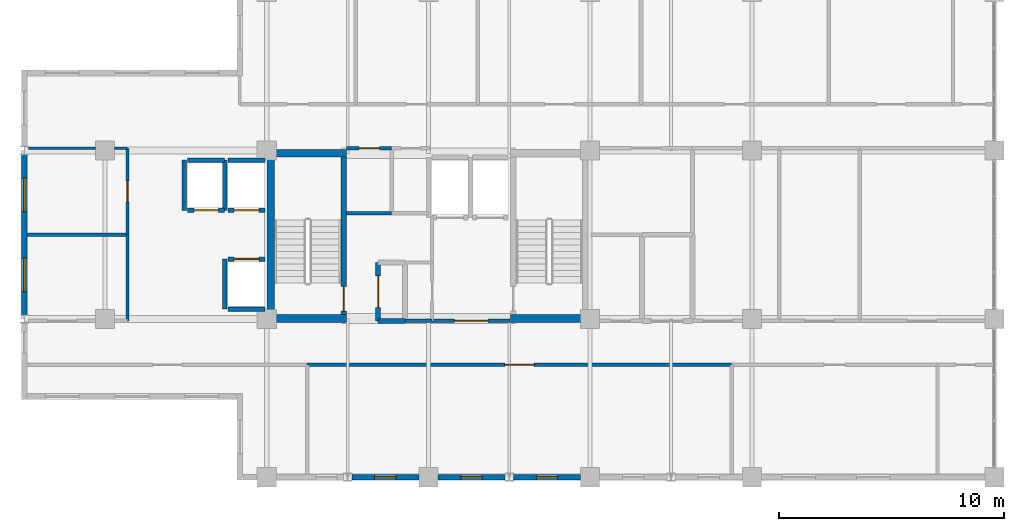
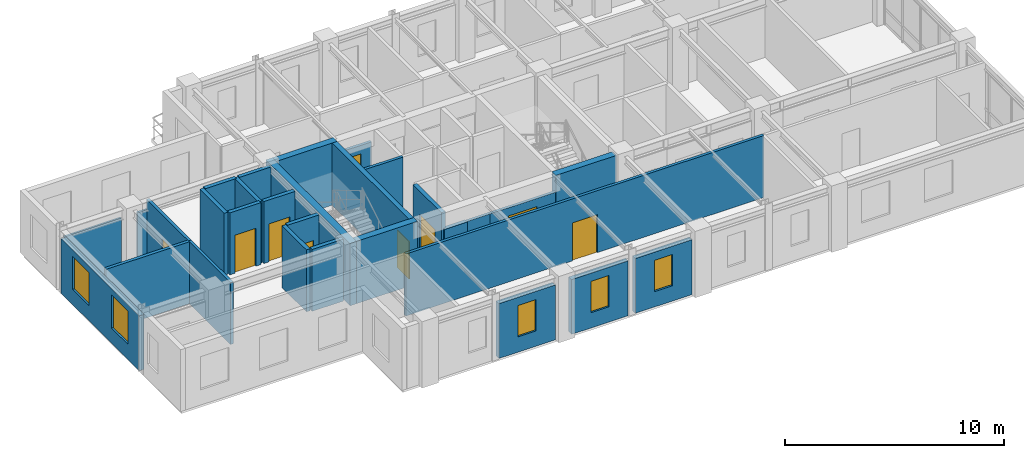
# One storey, part 6 of 10: 30 walls, 9 doors, 5 windows, 14 openings.
"""IFC4 building model written with IfcOpenShell, lengths in metres."""

from ifc_helpers import new_model, si_unit, direction, frame, frame_2d, origin, place, context, subcontext, project, spatial, rectangle, extrude, material, layer, layer_set, type_object, element, fill, save


model = new_model("IFC4")

# Units and contexts
model_context = context("Model", 3, precision=1e-05, world=origin(), true_north=direction((0.0, 1.0)))
body_context = subcontext(model_context, "Body", "Model", "MODEL_VIEW")
ifc_project = project(units=[si_unit("LENGTHUNIT", "METRE"), si_unit("AREAUNIT", "SQUARE_METRE"), si_unit("VOLUMEUNIT", "CUBIC_METRE"), si_unit("PLANEANGLEUNIT", "RADIAN"), si_unit("MASSUNIT", "GRAM", prefix="KILO")], contexts=[model_context])

# Site, building, storey
site_placement = place(None, origin())
site = spatial("IfcSite", under=ifc_project, at=site_placement, CompositionType="ELEMENT")
building_placement = place(site_placement, origin())
building = spatial("IfcBuilding", under=site, at=building_placement, Name="Kaliganga Portal Commons", CompositionType="ELEMENT")
storey_placement = place(building_placement, frame((0.0, 0.0, 275.800048828125)))
storey = spatial("IfcBuildingStorey", under=building, at=storey_placement, Name="L71", CompositionType="ELEMENT", Elevation=275.800048828125)

# Walls
ifc_material_1 = material(Name="Concrete C50/60", Category="concrete")
ifc_layer_1 = layer(ifc_material_1, 0.35009765625)
ifc_layer_set_1 = layer_set([ifc_layer_1], Name="Concrete C50/60")
wall_type_1 = type_object("IfcWallType", Name="WL-CORE-350", PredefinedType="SHEAR", material=ifc_layer_set_1)
wall_1_placement = place(storey_placement, frame((14.574951171875, 28.5, 0.0), z_axis=(0.0, 0.0, 1.0), x_axis=(0.0, 1.0, 0.0)))
element("IfcWall", 1, at=wall_1_placement, inside=storey, type_object=wall_type_1, Name="Core A West Shear Wall L71", PredefinedType="SHEAR", context=body_context, shape_type="SweptSolid", body=[
    extrude(rectangle(XDim=7.699951171875, YDim=0.35009765625, at=frame_2d((3.85009765625, 0.0))), origin(), (0.0, 0.0, 1.0), 3.474853515625),
])
for number, where, z_axis, x_axis, name in (
    (2, (14.75, 28.675048828125, 0.0), (0.0, 0.0, 1.0), (1.0, 0.0, 0.0), "Core A S-West Shear Wall L71"),
    (3, (25.25, 28.675048828125, 0.0), (0.0, 0.0, 1.0), (1.0, 0.0, 0.0), "Core A S-East Shear Wall L71"),
    (4, (14.75, 36.02490234375, 0.0), (0.0, 0.0, 1.0), (1.0, 0.0, 0.0), "Core A N-West Shear Wall L71"),
):
    element("IfcWall", number, at=place(storey_placement, frame(where, z_axis=z_axis, x_axis=x_axis)), inside=storey, type_object=wall_type_1, Name=name, PredefinedType="SHEAR", context=body_context, shape_type="SweptSolid", body=[
        extrude(rectangle(XDim=3.199951171875, YDim=0.35009765625, at=frame_2d((1.60009765625, 0.0))), origin(), (0.0, 0.0, 1.0), 3.474853515625),
    ])

# Wall, opening, window
ifc_material_2 = material(Name="Insulated Aluminium-Clad Spandrel Assembly", Category="aluminium")
ifc_layer_2 = layer(ifc_material_2, 0.260009765625)
ifc_layer_set_2 = layer_set([ifc_layer_2], Name="Insulated Aluminium-Clad Spandrel Assembly")
wall_type_2 = type_object("IfcWallType", Name="WL-EXT-SPAND-260", PredefinedType="STANDARD", material=ifc_layer_set_2)
wall_2_placement = place(storey_placement, frame((21.174072265625, 21.60009765625, 0.0), z_axis=(0.0, 0.0, 1.0), x_axis=(-1.0, 0.0, 0.0)))
wall_2 = element("IfcWall", 5, at=wall_2_placement, inside=storey, type_object=wall_type_2, Name="Exterior Envelope Wall L71 P1-E00-S3", PredefinedType="STANDARD", context=body_context, shape_type="SweptSolid", body=[
    extrude(rectangle(XDim=2.986083984375, YDim=0.260009765625, at=frame_2d((1.4931640625, 0.0))), origin(), (0.0, 0.0, 1.0), 3.054931640625),
])
opening_1_placement = place(wall_2_placement, frame((1.01806640625, 0.0, 0.85009765625)))
opening_1 = element("IfcOpeningElement", 6, at=opening_1_placement, cuts=wall_2, Name="Opening W-04", PredefinedType="OPENING", context=body_context, shape_type="SweptSolid", body=[
    extrude(rectangle(XDim=0.949951171875, YDim=1.75, at=frame_2d((0.47509765625, 0.875))), frame((0.0, 0.14013671875, 0.0), z_axis=(0.0, -1.0, 0.0), x_axis=(1.0, 0.0, 0.0)), (0.0, 0.0, 1.0), 0.280029296875),
])
ifc_material_3 = material(Name="Thermally Broken Aluminium and Low-E Double Glazing", Category="aluminium")
window_type_1 = type_object("IfcWindowType", Name="WIN-NARROW-950", PartitioningType="SINGLE_PANEL", PredefinedType="WINDOW", material=ifc_material_3)
window_1_placement = place(opening_1_placement, origin())
window_1 = element("IfcWindow", 7, at=window_1_placement, inside=storey, type_object=window_type_1, Name="Facade Window L71-P1E00S3-00", OverallHeight=1.75, OverallWidth=0.949951171875, PartitioningType="SINGLE_PANEL", PredefinedType="WINDOW", context=body_context, shape_type="SweptSolid", body=[
    extrude(rectangle(XDim=0.949951171875, YDim=1.75, at=frame_2d((0.47509765625, 0.875))), frame((0.0, 0.030029296875, 0.0), z_axis=(0.0, -1.0, 0.0), x_axis=(1.0, 0.0, 0.0)), (0.0, 0.0, 1.0), 0.06005859375),
])
fill(opening_1, window_1)

wall_3_placement = place(storey_placement, frame((25.011962890625, 21.60009765625, 0.0), z_axis=(0.0, 0.0, 1.0), x_axis=(-1.0, 0.0, 0.0)))
wall_3 = element("IfcWall", 8, at=wall_3_placement, inside=storey, type_object=wall_type_2, Name="Exterior Envelope Wall L71 P1-E00-S4", PredefinedType="STANDARD", context=body_context, shape_type="SweptSolid", body=[
    extrude(rectangle(XDim=2.986083984375, YDim=0.260009765625, at=frame_2d((1.4931640625, 0.0))), origin(), (0.0, 0.0, 1.0), 3.054931640625),
])
opening_2_placement = place(wall_3_placement, frame((1.01806640625, 0.0, 0.85009765625)))
opening_2 = element("IfcOpeningElement", 9, at=opening_2_placement, cuts=wall_3, Name="Opening W-04", PredefinedType="OPENING", context=body_context, shape_type="SweptSolid", body=[
    extrude(rectangle(XDim=0.949951171875, YDim=1.75, at=frame_2d((0.47509765625, 0.875))), frame((0.0, 0.14013671875, 0.0), z_axis=(0.0, -1.0, 0.0), x_axis=(1.0, 0.0, 0.0)), (0.0, 0.0, 1.0), 0.280029296875),
])
window_2_placement = place(opening_2_placement, origin())
window_2 = element("IfcWindow", 10, at=window_2_placement, inside=storey, type_object=window_type_1, Name="Facade Window L71-P1E00S4-00", OverallHeight=1.75, OverallWidth=0.949951171875, PartitioningType="SINGLE_PANEL", PredefinedType="WINDOW", context=body_context, shape_type="SweptSolid", body=[
    extrude(rectangle(XDim=0.949951171875, YDim=1.75, at=frame_2d((0.47509765625, 0.875))), frame((0.0, 0.030029296875, 0.0), z_axis=(0.0, -1.0, 0.0), x_axis=(1.0, 0.0, 0.0)), (0.0, 0.0, 1.0), 0.06005859375),
])
fill(opening_2, window_2)

wall_4_placement = place(storey_placement, frame((28.3740234375, 21.60009765625, 0.0), z_axis=(0.0, 0.0, 1.0), x_axis=(-1.0, 0.0, 0.0)))
wall_4 = element("IfcWall", 11, at=wall_4_placement, inside=storey, type_object=wall_type_2, Name="Exterior Envelope Wall L71 P1-E00-S5", PredefinedType="STANDARD", context=body_context, shape_type="SweptSolid", body=[
    extrude(rectangle(XDim=2.986083984375, YDim=0.260009765625, at=frame_2d((1.4931640625, 0.0))), origin(), (0.0, 0.0, 1.0), 3.054931640625),
])
opening_3_placement = place(wall_4_placement, frame((1.01806640625, 0.0, 0.85009765625)))
opening_3 = element("IfcOpeningElement", 12, at=opening_3_placement, cuts=wall_4, Name="Opening W-04", PredefinedType="OPENING", context=body_context, shape_type="SweptSolid", body=[
    extrude(rectangle(XDim=0.949951171875, YDim=1.75, at=frame_2d((0.47509765625, 0.875))), frame((0.0, 0.14013671875, 0.0), z_axis=(0.0, -1.0, 0.0), x_axis=(1.0, 0.0, 0.0)), (0.0, 0.0, 1.0), 0.280029296875),
])
window_3_placement = place(opening_3_placement, origin())
window_3 = element("IfcWindow", 13, at=window_3_placement, inside=storey, type_object=window_type_1, Name="Facade Window L71-P1E00S5-00", OverallHeight=1.75, OverallWidth=0.949951171875, PartitioningType="SINGLE_PANEL", PredefinedType="WINDOW", context=body_context, shape_type="SweptSolid", body=[
    extrude(rectangle(XDim=0.949951171875, YDim=1.75, at=frame_2d((0.47509765625, 0.875))), frame((0.0, 0.030029296875, 0.0), z_axis=(0.0, -1.0, 0.0), x_axis=(1.0, 0.0, 0.0)), (0.0, 0.0, 1.0), 0.06005859375),
])
fill(opening_3, window_3)

# Wall, openings, windows
wall_5_placement = place(storey_placement, frame((3.60009765625, 28.8369140625, 0.0), z_axis=(0.0, 0.0, 1.0), x_axis=(0.0, 1.0, 0.0)))
wall_5 = element("IfcWall", 14, at=wall_5_placement, inside=storey, type_object=wall_type_2, Name="Exterior Envelope Wall L71 P1-E05-S2", PredefinedType="STANDARD", context=body_context, shape_type="SweptSolid", body=[
    extrude(rectangle(XDim=7.1259765625, YDim=0.260009765625, at=frame_2d((3.56298828125, 0.0))), origin(), (0.0, 0.0, 1.0), 3.054931640625),
])
opening_4_placement = place(wall_5_placement, frame((1.031494140625, 0.0, 0.85009765625)))
opening_4 = element("IfcOpeningElement", 15, at=opening_4_placement, cuts=wall_5, Name="Opening W-02", PredefinedType="OPENING", context=body_context, shape_type="SweptSolid", body=[
    extrude(rectangle(XDim=1.5, YDim=1.85009765625, at=frame_2d((0.75, 0.925048828125))), frame((0.0, 0.14013671875, 0.0), z_axis=(0.0, -1.0, 0.0), x_axis=(1.0, 0.0, 0.0)), (0.0, 0.0, 1.0), 0.280029296875),
])
opening_5_placement = place(wall_5_placement, frame((4.594482421875, 0.0, 0.85009765625)))
opening_5 = element("IfcOpeningElement", 16, at=opening_5_placement, cuts=wall_5, Name="Opening W-02", PredefinedType="OPENING", context=body_context, shape_type="SweptSolid", body=[
    extrude(rectangle(XDim=1.5, YDim=1.85009765625, at=frame_2d((0.75, 0.925048828125))), frame((0.0, 0.14013671875, 0.0), z_axis=(0.0, -1.0, 0.0), x_axis=(1.0, 0.0, 0.0)), (0.0, 0.0, 1.0), 0.280029296875),
])
window_type_2 = type_object("IfcWindowType", Name="WIN-STD-1500", PartitioningType="DOUBLE_PANEL_VERTICAL", PredefinedType="WINDOW", material=ifc_material_3)
window_4_placement = place(opening_4_placement, origin())
window_4 = element("IfcWindow", 17, at=window_4_placement, inside=storey, type_object=window_type_2, Name="Facade Window L71-P1E05S2-00", OverallHeight=1.85009765625, OverallWidth=1.5, PartitioningType="SINGLE_PANEL", PredefinedType="WINDOW", context=body_context, shape_type="SweptSolid", body=[
    extrude(rectangle(XDim=1.5, YDim=1.85009765625, at=frame_2d((0.75, 0.925048828125))), frame((0.0, 0.030029296875, 0.0), z_axis=(0.0, -1.0, 0.0), x_axis=(1.0, 0.0, 0.0)), (0.0, 0.0, 1.0), 0.06005859375),
])
fill(opening_4, window_4)
window_5_placement = place(opening_5_placement, origin())
window_5 = element("IfcWindow", 18, at=window_5_placement, inside=storey, type_object=window_type_2, Name="Facade Window L71-P1E05S2-01", OverallHeight=1.85009765625, OverallWidth=1.5, PartitioningType="SINGLE_PANEL", PredefinedType="WINDOW", context=body_context, shape_type="SweptSolid", body=[
    extrude(rectangle(XDim=1.5, YDim=1.85009765625, at=frame_2d((0.75, 0.925048828125))), frame((0.0, 0.030029296875, 0.0), z_axis=(0.0, -1.0, 0.0), x_axis=(1.0, 0.0, 0.0)), (0.0, 0.0, 1.0), 0.06005859375),
])
fill(opening_5, window_5)

# Wall, opening, door
ifc_material_4 = material(Name="Fire-Rated Gypsum Board on Steel Stud", Category="steel")
ifc_layer_3 = layer(ifc_material_4, 0.14990234375)
ifc_layer_set_3 = layer_set([ifc_layer_3], Name="Fire-Rated Gypsum Board on Steel Stud")
wall_type_3 = type_object("IfcWallType", Name="WL-PART-CORR-150", PredefinedType="PARTITIONING", material=ifc_layer_set_3)
wall_6_placement = place(storey_placement, frame((16.199951171875, 26.60009765625, 0.0), z_axis=(0.0, 0.0, 1.0), x_axis=(1.0, 0.0, 0.0)))
wall_6 = element("IfcWall", 19, at=wall_6_placement, inside=storey, type_object=wall_type_3, Name="Interior Partition L71-001", PredefinedType="PARTITIONING", context=body_context, shape_type="SweptSolid", body=[
    extrude(rectangle(XDim=18.900146484375, YDim=0.14990234375, at=frame_2d((9.4501953125, 0.0))), origin(), (0.0, 0.0, 1.0), 3.454833984375),
])
opening_6_placement = place(wall_6_placement, frame((8.800048828125, 0.0, 0.0)))
opening_6 = element("IfcOpeningElement", 20, at=opening_6_placement, cuts=wall_6, Name="Opening RD-03", PredefinedType="OPENING", context=body_context, shape_type="SweptSolid", body=[
    extrude(rectangle(XDim=1.300048828125, YDim=2.1201171875, at=frame_2d((0.64990234375, 1.06005859375))), frame((0.0, 0.0849609375, 0.0), z_axis=(0.0, -1.0, 0.0), x_axis=(1.0, 0.0, 0.0)), (0.0, 0.0, 1.0), 0.169921875),
])
ifc_material_5 = material(Name="Glazed Timber Seminar Vision Door", Category="wood")
door_type_1 = type_object("IfcDoorType", Name="DR-STUDY-1300", OperationType="DOUBLE_DOOR_SINGLE_SWING", PredefinedType="DOOR", material=ifc_material_5)
door_1_placement = place(opening_6_placement, origin())
door_1 = element("IfcDoor", 21, at=door_1_placement, inside=storey, type_object=door_type_1, Name="Interior Door L71-AS02", OperationType="DOUBLE_DOOR_SINGLE_SWING", OverallHeight=2.1201171875, OverallWidth=1.300048828125, PredefinedType="DOOR", context=body_context, shape_type="SweptSolid", body=[
    extrude(rectangle(XDim=1.300048828125, YDim=2.1201171875, at=frame_2d((0.64990234375, 1.06005859375))), frame((0.0, 0.02490234375, 0.0), z_axis=(0.0, -1.0, 0.0), x_axis=(1.0, 0.0, 0.0)), (0.0, 0.0, 1.0), 0.050048828125),
])
fill(opening_6, door_1)

wall_7_placement = place(storey_placement, frame((8.199951171875, 32.39990234375, 0.0), z_axis=(0.0, 0.0, 1.0), x_axis=(0.0, 1.0, 0.0)))
wall_7 = element("IfcWall", 22, at=wall_7_placement, inside=storey, type_object=wall_type_3, Name="Interior Partition L71-018", PredefinedType="PARTITIONING", context=body_context, shape_type="SweptSolid", body=[
    extrude(rectangle(XDim=3.840087890625, YDim=0.14990234375, at=frame_2d((1.919921875, 0.0))), origin(), (0.0, 0.0, 1.0), 3.454833984375),
])
opening_7_placement = place(wall_7_placement, frame((1.445068359375, 0.0, 0.0)))
opening_7 = element("IfcOpeningElement", 23, at=opening_7_placement, cuts=wall_7, Name="Opening UD-01", PredefinedType="OPENING", context=body_context, shape_type="SweptSolid", body=[
    extrude(rectangle(XDim=0.949951171875, YDim=2.10009765625, at=frame_2d((0.47509765625, 1.050048828125))), frame((0.0, 0.0849609375, 0.0), z_axis=(0.0, -1.0, 0.0), x_axis=(1.0, 0.0, 0.0)), (0.0, 0.0, 1.0), 0.169921875),
])
ifc_material_6 = material(Name="Solid-Core Timber Acoustic Fire Door", Category="wood")
door_type_2 = type_object("IfcDoorType", Name="DR-UNIT-950", OperationType="NOTDEFINED", PredefinedType="DOOR", material=ifc_material_6)
door_2_placement = place(opening_7_placement, origin())
door_2 = element("IfcDoor", 24, at=door_2_placement, inside=storey, type_object=door_type_2, Name="Interior Door L71-AW02", OperationType="SINGLE_SWING_RIGHT", OverallHeight=2.10009765625, OverallWidth=0.949951171875, PredefinedType="DOOR", context=body_context, shape_type="SweptSolid", body=[
    extrude(rectangle(XDim=0.949951171875, YDim=2.10009765625, at=frame_2d((0.47509765625, 1.050048828125))), frame((0.0, 0.02490234375, 0.0), z_axis=(0.0, -1.0, 0.0), x_axis=(1.0, 0.0, 0.0)), (0.0, 0.0, 1.0), 0.050048828125),
])
fill(opening_7, door_2)

# Walls
wall_8_placement = place(storey_placement, frame((8.199951171875, 28.56005859375, 0.0), z_axis=(0.0, 0.0, 1.0), x_axis=(0.0, 1.0, 0.0)))
element("IfcWall", 25, at=wall_8_placement, inside=storey, type_object=wall_type_3, Name="Interior Partition L71-019", PredefinedType="PARTITIONING", context=body_context, shape_type="SweptSolid", body=[
    extrude(rectangle(XDim=3.83984375, YDim=0.14990234375, at=frame_2d((1.919921875, 0.0))), origin(), (0.0, 0.0, 1.0), 3.454833984375),
])
wall_9_placement = place(storey_placement, frame((17.9599609375, 33.360107421875, 0.0), z_axis=(0.0, 0.0, 1.0), x_axis=(1.0, 0.0, 0.0)))
element("IfcWall", 26, at=wall_9_placement, inside=storey, type_object=wall_type_3, Name="Interior Partition L71-027", PredefinedType="PARTITIONING", context=body_context, shape_type="SweptSolid", body=[
    extrude(rectangle(XDim=2.0, YDim=0.14990234375, at=frame_2d((1.0, 0.0))), origin(), (0.0, 0.0, 1.0), 3.454833984375),
])

# Wall, opening, door
wall_10_placement = place(storey_placement, frame((17.9599609375, 36.239990234375, 0.0), z_axis=(0.0, 0.0, 1.0), x_axis=(1.0, 0.0, 0.0)))
wall_10 = element("IfcWall", 27, at=wall_10_placement, inside=storey, type_object=wall_type_3, Name="Interior Partition L71-028", PredefinedType="PARTITIONING", context=body_context, shape_type="SweptSolid", body=[
    extrude(rectangle(XDim=2.0, YDim=0.14990234375, at=frame_2d((1.0, 0.0))), origin(), (0.0, 0.0, 1.0), 2.554931640625),
])
opening_8_placement = place(wall_10_placement, frame((0.550048828125, 0.0, 0.0)))
opening_8 = element("IfcOpeningElement", 28, at=opening_8_placement, cuts=wall_10, Name="Opening RD-01", PredefinedType="OPENING", context=body_context, shape_type="SweptSolid", body=[
    extrude(rectangle(XDim=0.89990234375, YDim=2.080078125, at=frame_2d((0.449951171875, 1.0400390625))), frame((0.0, 0.0849609375, 0.0), z_axis=(0.0, -1.0, 0.0), x_axis=(1.0, 0.0, 0.0)), (0.0, 0.0, 1.0), 0.169921875),
])
ifc_material_7 = material(Name="Engineered Timber Flush Door", Category="wood")
door_type_3 = type_object("IfcDoorType", Name="DR-ROOM-900", OperationType="NOTDEFINED", PredefinedType="DOOR", material=ifc_material_7)
door_3_placement = place(opening_8_placement, origin())
door_3 = element("IfcDoor", 29, at=door_3_placement, inside=storey, type_object=door_type_3, Name="Interior Door L71-CREC_A1", OperationType="SINGLE_SWING_LEFT", OverallHeight=2.080078125, OverallWidth=0.89990234375, PredefinedType="DOOR", context=body_context, shape_type="SweptSolid", body=[
    extrude(rectangle(XDim=0.89990234375, YDim=2.080078125, at=frame_2d((0.449951171875, 1.0400390625))), frame((0.0, 0.02490234375, 0.0), z_axis=(0.0, -1.0, 0.0), x_axis=(1.0, 0.0, 0.0)), (0.0, 0.0, 1.0), 0.050048828125),
])
fill(opening_8, door_3)

# Wall
wall_11_placement = place(storey_placement, frame((20.56005859375, 28.56005859375, 0.0), z_axis=(0.0, 0.0, 1.0), x_axis=(1.0, 0.0, 0.0)))
element("IfcWall", 30, at=wall_11_placement, inside=storey, type_object=wall_type_3, Name="Interior Partition L71-032", PredefinedType="PARTITIONING", context=body_context, shape_type="SweptSolid", body=[
    extrude(rectangle(XDim=1.199951171875, YDim=0.14990234375, at=frame_2d((0.60009765625, 0.0))), origin(), (0.0, 0.0, 1.0), 2.554931640625),
])

# Wall, opening, door
wall_12_placement = place(storey_placement, frame((21.760009765625, 28.56005859375, 0.0), z_axis=(0.0, 0.0, 1.0), x_axis=(1.0, 0.0, 0.0)))
wall_12 = element("IfcWall", 31, at=wall_12_placement, inside=storey, type_object=wall_type_3, Name="Interior Partition L71-053", PredefinedType="PARTITIONING", context=body_context, shape_type="SweptSolid", body=[
    extrude(rectangle(XDim=3.47998046875, YDim=0.14990234375, at=frame_2d((1.739990234375, 0.0))), origin(), (0.0, 0.0, 1.0), 2.554931640625),
])
opening_9_placement = place(wall_12_placement, frame((0.989990234375, 0.0, 0.0)))
opening_9 = element("IfcOpeningElement", 32, at=opening_9_placement, cuts=wall_12, Name="Opening FD-01", PredefinedType="OPENING", context=body_context, shape_type="SweptSolid", body=[
    extrude(rectangle(XDim=1.5, YDim=2.10009765625, at=frame_2d((0.75, 1.050048828125))), frame((0.0, 0.0849609375, 0.0), z_axis=(0.0, -1.0, 0.0), x_axis=(1.0, 0.0, 0.0)), (0.0, 0.0, 1.0), 0.169921875),
])
ifc_material_8 = material(Name="Fire-Rated Hardwood and Georgian-Wired Vision Panel", Category="wood")
door_type_4 = type_object("IfcDoorType", Name="DR-LOBBY-1500", OperationType="DOUBLE_DOOR_SINGLE_SWING", PredefinedType="DOOR", material=ifc_material_8)
door_4_placement = place(opening_9_placement, origin())
door_4 = element("IfcDoor", 33, at=door_4_placement, inside=storey, type_object=door_type_4, Name="Interior Door L71-FFLOB_A", OperationType="DOUBLE_DOOR_SINGLE_SWING", OverallHeight=2.10009765625, OverallWidth=1.5, PredefinedType="DOOR", context=body_context, shape_type="SweptSolid", body=[
    extrude(rectangle(XDim=1.5, YDim=2.10009765625, at=frame_2d((0.75, 1.050048828125))), frame((0.0, 0.02490234375, 0.0), z_axis=(0.0, -1.0, 0.0), x_axis=(1.0, 0.0, 0.0)), (0.0, 0.0, 1.0), 0.050048828125),
])
fill(opening_9, door_4)

ifc_material_9 = material(Name="Lightweight blockwork masonry", Category="masonry")
ifc_layer_4 = layer(ifc_material_9, 0.215087890625)
ifc_layer_set_4 = layer_set([ifc_layer_4], Name="Lightweight blockwork masonry")
wall_type_4 = type_object("IfcWallType", Name="WL-PART-PLANT-215", PredefinedType="PARTITIONING", material=ifc_layer_set_4)
wall_13_placement = place(storey_placement, frame((19.360107421875, 28.56005859375, 0.0), z_axis=(0.0, 0.0, 1.0), x_axis=(0.0, 1.0, 0.0)))
wall_13 = element("IfcWall", 34, at=wall_13_placement, inside=storey, type_object=wall_type_4, Name="Interior Partition L71-022", PredefinedType="PARTITIONING", context=body_context, shape_type="SweptSolid", body=[
    extrude(rectangle(XDim=2.599853515625, YDim=0.215087890625, at=frame_2d((1.2998046875, 0.0))), origin(), (0.0, 0.0, 1.0), 3.454833984375),
])
opening_10_placement = place(wall_13_placement, frame((0.60009765625, 0.0, 0.0)))
opening_10 = element("IfcOpeningElement", 35, at=opening_10_placement, cuts=wall_13, Name="Opening PD-01", PredefinedType="OPENING", context=body_context, shape_type="SweptSolid", body=[
    extrude(rectangle(XDim=1.39990234375, YDim=2.14990234375, at=frame_2d((0.699951171875, 1.074951171875))), frame((0.0, 0.11767578125, 0.0), z_axis=(0.0, -1.0, 0.0), x_axis=(1.0, 0.0, 0.0)), (0.0, 0.0, 1.0), 0.235107421875),
])
ifc_material_10 = material(Name="Heavy-Duty Steel Acoustic Louvre Fire Door", Category="steel")
door_type_5 = type_object("IfcDoorType", Name="DR-PLANT-1400", OperationType="DOUBLE_DOOR_SINGLE_SWING", PredefinedType="DOOR", material=ifc_material_10)
door_5_placement = place(opening_10_placement, origin())
door_5 = element("IfcDoor", 36, at=door_5_placement, inside=storey, type_object=door_type_5, Name="Interior Door L71-CIN_A1", OperationType="DOUBLE_DOOR_SINGLE_SWING", OverallHeight=2.14990234375, OverallWidth=1.39990234375, PredefinedType="DOOR", context=body_context, shape_type="SweptSolid", body=[
    extrude(rectangle(XDim=1.39990234375, YDim=2.14990234375, at=frame_2d((0.699951171875, 1.074951171875))), frame((0.0, 0.02490234375, 0.0), z_axis=(0.0, -1.0, 0.0), x_axis=(1.0, 0.0, 0.0)), (0.0, 0.0, 1.0), 0.050048828125),
])
fill(opening_10, door_5)

# Walls
wall_14_placement = place(storey_placement, frame((19.360107421875, 28.56005859375, 0.0), z_axis=(0.0, 0.0, 1.0), x_axis=(1.0, 0.0, 0.0)))
element("IfcWall", 37, at=wall_14_placement, inside=storey, type_object=wall_type_4, Name="Interior Partition L71-034", PredefinedType="PARTITIONING", context=body_context, shape_type="SweptSolid", body=[
    extrude(rectangle(XDim=1.199951171875, YDim=0.215087890625, at=frame_2d((0.60009765625, 0.0))), origin(), (0.0, 0.0, 1.0), 2.554931640625),
])
ifc_material_11 = material(Name="Moisture-Resistant Gypsum Partition", Category="gypsum")
ifc_layer_5 = layer(ifc_material_11, 0.114990234375)
ifc_layer_set_5 = layer_set([ifc_layer_5], Name="Moisture-Resistant Gypsum Partition")
wall_type_5 = type_object("IfcWallType", Name="WL-PART-ROOM-115", PredefinedType="PARTITIONING", material=ifc_layer_set_5)
wall_15_placement = place(storey_placement, frame((3.787109375, 36.239990234375, 0.0), z_axis=(0.0, 0.0, 1.0), x_axis=(1.0, 0.0, 0.0)))
element("IfcWall", 38, at=wall_15_placement, inside=storey, type_object=wall_type_5, Name="Interior Partition L71-048", PredefinedType="PARTITIONING", context=body_context, shape_type="SweptSolid", body=[
    extrude(rectangle(XDim=2.98779296875, YDim=0.114990234375, at=frame_2d((1.493896484375, 0.0))), origin(), (0.0, 0.0, 1.0), 2.905029296875),
])
wall_16_placement = place(storey_placement, frame((7.625, 36.239990234375, 0.0), z_axis=(0.0, 0.0, 1.0), x_axis=(1.0, 0.0, 0.0)))
element("IfcWall", 39, at=wall_16_placement, inside=storey, type_object=wall_type_5, Name="Interior Partition L71-049", PredefinedType="PARTITIONING", context=body_context, shape_type="SweptSolid", body=[
    extrude(rectangle(XDim=0.574951171875, YDim=0.114990234375, at=frame_2d((0.28759765625, 0.0))), origin(), (0.0, 0.0, 1.0), 2.905029296875),
])
ifc_material_12 = material(Name="Twin-Stud Acoustic Gypsum Partition", Category="gypsum")
ifc_layer_6 = layer(ifc_material_12, 0.1650390625)
ifc_layer_set_6 = layer_set([ifc_layer_6], Name="Twin-Stud Acoustic Gypsum Partition")
wall_type_6 = type_object("IfcWallType", Name="WL-PART-UNIT-165", PredefinedType="PARTITIONING", material=ifc_layer_set_6)
wall_17_placement = place(storey_placement, frame((3.73193359375, 32.39990234375, 0.0), z_axis=(0.0, 0.0, 1.0), x_axis=(1.0, 0.0, 0.0)))
element("IfcWall", 40, at=wall_17_placement, inside=storey, type_object=wall_type_6, Name="Interior Partition L71-047", PredefinedType="PARTITIONING", context=body_context, shape_type="SweptSolid", body=[
    extrude(rectangle(XDim=4.468017578125, YDim=0.1650390625, at=frame_2d((2.23388671875, 0.0))), origin(), (0.0, 0.0, 1.0), 3.454833984375),
])

# Wall, opening, door
ifc_material_13 = material(Name="Fire-Rated Shaftwall Masonry Assembly", Category="masonry")
ifc_layer_7 = layer(ifc_material_13, 0.199951171875)
ifc_layer_set_7 = layer_set([ifc_layer_7], Name="Fire-Rated Shaftwall Masonry Assembly")
wall_type_7 = type_object("IfcWallType", Name="WL-SHAFT-200", PredefinedType="PARTITIONING", material=ifc_layer_set_7)
wall_18_placement = place(storey_placement, frame((12.675048828125, 33.485107421875, 0.0), z_axis=(0.0, 0.0, 1.0), x_axis=(1.0, 0.0, 0.0)))
wall_18 = element("IfcWall", 41, at=wall_18_placement, inside=storey, type_object=wall_type_7, Name="Lift PL-A3 Hoistway Shaft Wall L71-S", PredefinedType="PARTITIONING", context=body_context, shape_type="SweptSolid", body=[
    extrude(rectangle(XDim=1.64990234375, YDim=0.199951171875, at=frame_2d((0.824951171875, 0.0))), origin(), (0.0, 0.0, 1.0), 3.454833984375),
])
opening_11_placement = place(wall_18_placement, frame((0.27490234375, 0.0, 0.0)))
opening_11 = element("IfcOpeningElement", 42, at=opening_11_placement, cuts=wall_18, Name="Opening LD-01", PredefinedType="OPENING", context=body_context, shape_type="SweptSolid", body=[
    extrude(rectangle(XDim=1.10009765625, YDim=2.1201171875, at=frame_2d((0.550048828125, 1.06005859375))), frame((0.0, 0.10986328125, 0.0), z_axis=(0.0, -1.0, 0.0), x_axis=(1.0, 0.0, 0.0)), (0.0, 0.0, 1.0), 0.219970703125),
])
ifc_material_14 = material(Name="Brushed Stainless Steel 316 Lift Landing Door", Category="steel")
door_type_6 = type_object("IfcDoorType", Name="DR-LIFT-1100", OperationType="SLIDING_TO_LEFT", PredefinedType="DOOR", material=ifc_material_14)
door_6_placement = place(opening_11_placement, origin())
door_6 = element("IfcDoor", 43, at=door_6_placement, inside=storey, type_object=door_type_6, Name="Lift PL-A3 Sliding Landing Door L71", OperationType="SLIDING_TO_LEFT", OverallHeight=2.1201171875, OverallWidth=1.10009765625, PredefinedType="DOOR", context=body_context, shape_type="SweptSolid", body=[
    extrude(rectangle(XDim=1.10009765625, YDim=2.1201171875, at=frame_2d((0.550048828125, 1.06005859375))), frame((0.0, 0.02490234375, 0.0), z_axis=(0.0, -1.0, 0.0), x_axis=(1.0, 0.0, 0.0)), (0.0, 0.0, 1.0), 0.050048828125),
])
fill(opening_11, door_6)

# Walls
wall_19_placement = place(storey_placement, frame((12.675048828125, 35.715087890625, 0.0), z_axis=(0.0, 0.0, 1.0), x_axis=(1.0, 0.0, 0.0)))
element("IfcWall", 44, at=wall_19_placement, inside=storey, type_object=wall_type_7, Name="Lift PL-A3 Hoistway Shaft Wall L71-N", PredefinedType="PARTITIONING", context=body_context, shape_type="SweptSolid", body=[
    extrude(rectangle(XDim=1.64990234375, YDim=0.199951171875, at=frame_2d((0.824951171875, 0.0))), origin(), (0.0, 0.0, 1.0), 3.454833984375),
])
wall_20_placement = place(storey_placement, frame((12.534912109375, 33.485107421875, 0.0), z_axis=(0.0, 0.0, 1.0), x_axis=(0.0, 1.0, 0.0)))
element("IfcWall", 45, at=wall_20_placement, inside=storey, type_object=wall_type_7, Name="Lift PL-A3 Hoistway Shaft Wall L71-W", PredefinedType="PARTITIONING", context=body_context, shape_type="SweptSolid", body=[
    extrude(rectangle(XDim=2.22998046875, YDim=0.199951171875, at=frame_2d((1.114990234375, 0.0))), origin(), (0.0, 0.0, 1.0), 3.454833984375),
])
wall_21_placement = place(storey_placement, frame((12.675048828125, 29.0849609375, 0.0), z_axis=(0.0, 0.0, 1.0), x_axis=(1.0, 0.0, 0.0)))
element("IfcWall", 46, at=wall_21_placement, inside=storey, type_object=wall_type_7, Name="Lift PL-A4 Hoistway Shaft Wall L71-S", PredefinedType="PARTITIONING", context=body_context, shape_type="SweptSolid", body=[
    extrude(rectangle(XDim=1.64990234375, YDim=0.199951171875, at=frame_2d((0.824951171875, 0.0))), origin(), (0.0, 0.0, 1.0), 3.454833984375),
])

# Wall, opening, door
wall_22_placement = place(storey_placement, frame((12.675048828125, 31.31494140625, 0.0), z_axis=(0.0, 0.0, 1.0), x_axis=(1.0, 0.0, 0.0)))
wall_22 = element("IfcWall", 47, at=wall_22_placement, inside=storey, type_object=wall_type_7, Name="Lift PL-A4 Hoistway Shaft Wall L71-N", PredefinedType="PARTITIONING", context=body_context, shape_type="SweptSolid", body=[
    extrude(rectangle(XDim=1.64990234375, YDim=0.199951171875, at=frame_2d((0.824951171875, 0.0))), origin(), (0.0, 0.0, 1.0), 3.454833984375),
])
opening_12_placement = place(wall_22_placement, frame((0.27490234375, 0.0, 0.0)))
opening_12 = element("IfcOpeningElement", 48, at=opening_12_placement, cuts=wall_22, Name="Opening LD-01", PredefinedType="OPENING", context=body_context, shape_type="SweptSolid", body=[
    extrude(rectangle(XDim=1.10009765625, YDim=2.1201171875, at=frame_2d((0.550048828125, 1.06005859375))), frame((0.0, 0.10986328125, 0.0), z_axis=(0.0, -1.0, 0.0), x_axis=(1.0, 0.0, 0.0)), (0.0, 0.0, 1.0), 0.219970703125),
])
door_7_placement = place(opening_12_placement, origin())
door_7 = element("IfcDoor", 49, at=door_7_placement, inside=storey, type_object=door_type_6, Name="Lift PL-A4 Sliding Landing Door L71", OperationType="SLIDING_TO_LEFT", OverallHeight=2.1201171875, OverallWidth=1.10009765625, PredefinedType="DOOR", context=body_context, shape_type="SweptSolid", body=[
    extrude(rectangle(XDim=1.10009765625, YDim=2.1201171875, at=frame_2d((0.550048828125, 1.06005859375))), frame((0.0, 0.02490234375, 0.0), z_axis=(0.0, -1.0, 0.0), x_axis=(1.0, 0.0, 0.0)), (0.0, 0.0, 1.0), 0.050048828125),
])
fill(opening_12, door_7)

# Wall
wall_23_placement = place(storey_placement, frame((12.534912109375, 29.0849609375, 0.0), z_axis=(0.0, 0.0, 1.0), x_axis=(0.0, 1.0, 0.0)))
element("IfcWall", 50, at=wall_23_placement, inside=storey, type_object=wall_type_7, Name="Lift PL-A4 Hoistway Shaft Wall L71-W", PredefinedType="PARTITIONING", context=body_context, shape_type="SweptSolid", body=[
    extrude(rectangle(XDim=2.22998046875, YDim=0.199951171875, at=frame_2d((1.114990234375, 0.0))), origin(), (0.0, 0.0, 1.0), 3.454833984375),
])

# Wall, opening, door
wall_24_placement = place(storey_placement, frame((10.875, 33.485107421875, 0.0), z_axis=(0.0, 0.0, 1.0), x_axis=(1.0, 0.0, 0.0)))
wall_24 = element("IfcWall", 51, at=wall_24_placement, inside=storey, type_object=wall_type_7, Name="Lift PL-OBS Hoistway Shaft Wall L71-S", PredefinedType="PARTITIONING", context=body_context, shape_type="SweptSolid", body=[
    extrude(rectangle(XDim=1.64990234375, YDim=0.199951171875, at=frame_2d((0.824951171875, 0.0))), origin(), (0.0, 0.0, 1.0), 3.454833984375),
])
opening_13_placement = place(wall_24_placement, frame((0.27490234375, 0.0, 0.0)))
opening_13 = element("IfcOpeningElement", 52, at=opening_13_placement, cuts=wall_24, Name="Opening LD-01", PredefinedType="OPENING", context=body_context, shape_type="SweptSolid", body=[
    extrude(rectangle(XDim=1.10009765625, YDim=2.1201171875, at=frame_2d((0.550048828125, 1.06005859375))), frame((0.0, 0.10986328125, 0.0), z_axis=(0.0, -1.0, 0.0), x_axis=(1.0, 0.0, 0.0)), (0.0, 0.0, 1.0), 0.219970703125),
])
door_8_placement = place(opening_13_placement, origin())
door_8 = element("IfcDoor", 53, at=door_8_placement, inside=storey, type_object=door_type_6, Name="Lift PL-OBS Sliding Landing Door L71", OperationType="SLIDING_TO_LEFT", OverallHeight=2.1201171875, OverallWidth=1.10009765625, PredefinedType="DOOR", context=body_context, shape_type="SweptSolid", body=[
    extrude(rectangle(XDim=1.10009765625, YDim=2.1201171875, at=frame_2d((0.550048828125, 1.06005859375))), frame((0.0, 0.02490234375, 0.0), z_axis=(0.0, -1.0, 0.0), x_axis=(1.0, 0.0, 0.0)), (0.0, 0.0, 1.0), 0.050048828125),
])
fill(opening_13, door_8)

# Walls
wall_25_placement = place(storey_placement, frame((10.875, 35.715087890625, 0.0), z_axis=(0.0, 0.0, 1.0), x_axis=(1.0, 0.0, 0.0)))
element("IfcWall", 54, at=wall_25_placement, inside=storey, type_object=wall_type_7, Name="Lift PL-OBS Hoistway Shaft Wall L71-N", PredefinedType="PARTITIONING", context=body_context, shape_type="SweptSolid", body=[
    extrude(rectangle(XDim=1.64990234375, YDim=0.199951171875, at=frame_2d((0.824951171875, 0.0))), origin(), (0.0, 0.0, 1.0), 3.454833984375),
])
wall_26_placement = place(storey_placement, frame((10.735107421875, 33.485107421875, 0.0), z_axis=(0.0, 0.0, 1.0), x_axis=(0.0, 1.0, 0.0)))
element("IfcWall", 55, at=wall_26_placement, inside=storey, type_object=wall_type_7, Name="Lift PL-OBS Hoistway Shaft Wall L71-W", PredefinedType="PARTITIONING", context=body_context, shape_type="SweptSolid", body=[
    extrude(rectangle(XDim=2.22998046875, YDim=0.199951171875, at=frame_2d((1.114990234375, 0.0))), origin(), (0.0, 0.0, 1.0), 3.454833984375),
])

# Wall, opening, door
ifc_layer_8 = layer(ifc_material_1, 0.25)
ifc_layer_set_8 = layer_set([ifc_layer_8], Name="Concrete C50/60")
wall_type_8 = type_object("IfcWallType", Name="WL-STAIR-250", PredefinedType="SHEAR", material=ifc_layer_set_8)
wall_27_placement = place(storey_placement, frame((17.824951171875, 28.85009765625, 0.0), z_axis=(0.0, 0.0, 1.0), x_axis=(0.0, 1.0, 0.0)))
wall_27 = element("IfcWall", 56, at=wall_27_placement, inside=storey, type_object=wall_type_8, Name="Stair A1 Enclosure Shear Wall L71", PredefinedType="SHEAR", context=body_context, shape_type="SweptSolid", body=[
    extrude(rectangle(XDim=7.0, YDim=0.25, at=frame_2d((3.5, 0.0))), origin(), (0.0, 0.0, 1.0), 3.474853515625),
])
opening_14_placement = place(wall_27_placement, frame((0.14990234375, 0.0, 0.0)))
opening_14 = element("IfcOpeningElement", 57, at=opening_14_placement, cuts=wall_27, Name="Opening SD-01", PredefinedType="OPENING", context=body_context, shape_type="SweptSolid", body=[
    extrude(rectangle(XDim=1.10009765625, YDim=2.080078125, at=frame_2d((0.550048828125, 1.0400390625))), frame((0.0, 0.135009765625, 0.0), z_axis=(0.0, -1.0, 0.0), x_axis=(1.0, 0.0, 0.0)), (0.0, 0.0, 1.0), 0.27001953125),
])
ifc_material_15 = material(Name="Galvanized Steel Fire Door Leaf and Frame", Category="steel")
door_type_7 = type_object("IfcDoorType", Name="DR-STAIR-1100", OperationType="NOTDEFINED", PredefinedType="DOOR", material=ifc_material_15)
door_9_placement = place(opening_14_placement, origin())
door_9 = element("IfcDoor", 58, at=door_9_placement, inside=storey, type_object=door_type_7, Name="Protected Stair ST-A1 Fire Door L71", OperationType="SINGLE_SWING_LEFT", OverallHeight=2.080078125, OverallWidth=1.10009765625, PredefinedType="DOOR", context=body_context, shape_type="SweptSolid", body=[
    extrude(rectangle(XDim=1.10009765625, YDim=2.080078125, at=frame_2d((0.550048828125, 1.0400390625))), frame((0.0, 0.02490234375, 0.0), z_axis=(0.0, -1.0, 0.0), x_axis=(1.0, 0.0, 0.0)), (0.0, 0.0, 1.0), 0.050048828125),
])
fill(opening_14, door_9)

save(model, "model.ifc")
